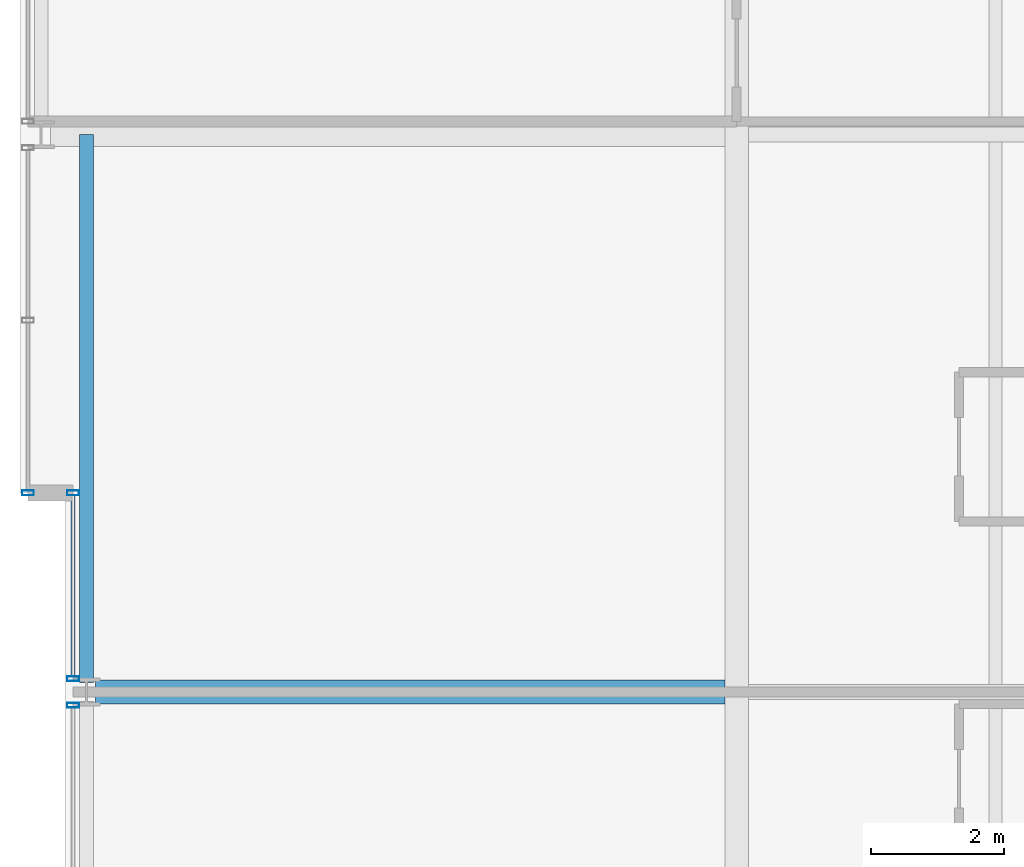
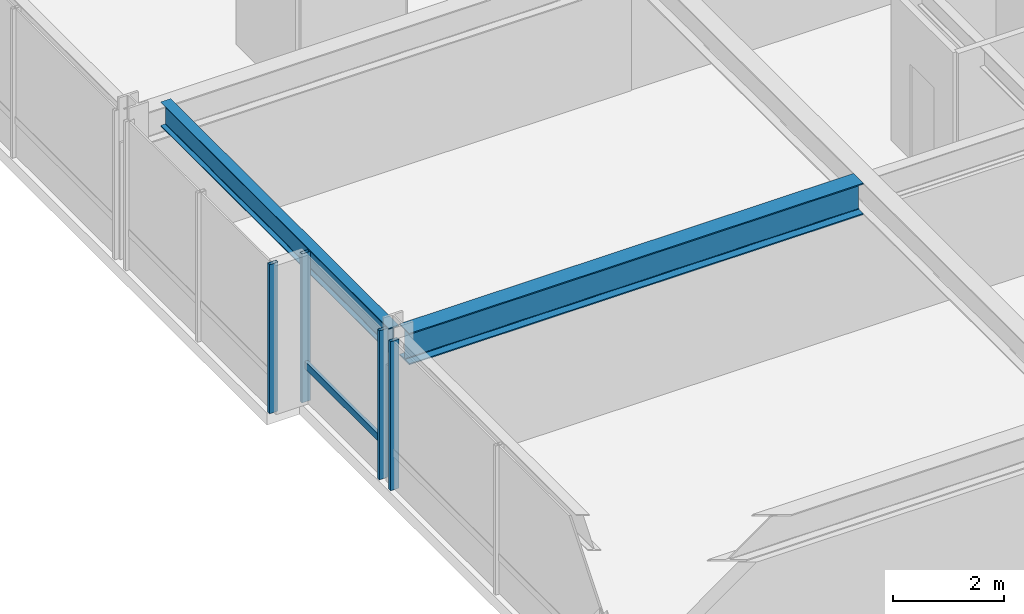
# One storey, part 9 of 33: 5 members, 2 beams, 3 elements without a shape of their own.
"""IFC4 building model written with IfcOpenShell, lengths in metres."""

from ifc_helpers import new_model, si_unit, direction, frame, origin, origin_2d, place, context, subcontext, project, spatial, hollow_rectangle, i_section, extrude, material, layer, layer_set, material_profile, profile_set, type_object, element, aggregate, save


model = new_model("IFC4")

# Units and contexts
model_context = context("Model", 3, precision=1e-05, world=origin(), true_north=direction((0.0, 1.0)))
body_context = subcontext(model_context, "Body", "Model", "MODEL_VIEW")
ifc_project = project(units=[si_unit("LENGTHUNIT", "METRE"), si_unit("AREAUNIT", "SQUARE_METRE"), si_unit("VOLUMEUNIT", "CUBIC_METRE"), si_unit("PLANEANGLEUNIT", "RADIAN"), si_unit("MASSUNIT", "GRAM", prefix="KILO")], contexts=[model_context])

# Site, building, storey
site_placement = place(None, origin())
site = spatial("IfcSite", under=ifc_project, at=site_placement, CompositionType="ELEMENT")
building_placement = place(site_placement, origin())
building = spatial("IfcBuilding", under=site, at=building_placement, Name="Drelvath Grand Hotel", CompositionType="ELEMENT")
storey_placement = place(building_placement, frame((0.0, 0.0, 171.699951171875)))
storey = spatial("IfcBuildingStorey", under=building, at=storey_placement, Name="L44", CompositionType="ELEMENT", Elevation=171.699951171875)

# Curtain wall, member
ifc_material_1 = material(Name="Brushed Pale-Silver Anodised Aluminium Frame", Category="aluminium")
ifc_layer = layer(ifc_material_1, 0.199951171875)
ifc_layer_set = layer_set([ifc_layer], Name="Brushed Pale-Silver Anodised Aluminium Frame")
curtain_wall_type = type_object("IfcCurtainWallType", Name="Stick Curtain Wall CW-04 Brushed Silver Upper-Mid", PredefinedType="NOTDEFINED", material=ifc_layer_set)
curtain_wall_1_placement = place(storey_placement, origin())
curtain_wall_1 = element("IfcCurtainWall", 1, at=curtain_wall_1_placement, inside=storey, type_object=curtain_wall_type, Name="L44 CW-04 Curtain Wall CW04-L44-WM2", PredefinedType="NOTDEFINED")
ifc_material_profile_1 = material_profile(ifc_material_1, hollow_rectangle(XDim=0.06494140625, YDim=0.159912109375, WallThickness=0.00390625, at=origin_2d()), Name="HSS160X65X4")
ifc_profile_set_1 = profile_set([ifc_material_profile_1], Name="Brushed Pale-Silver Anodised Aluminium Frame")
member_type_1 = type_object("IfcMemberType", Name="Curtain Wall Horizontal Transom CW-04 HSS160X65X4", PredefinedType="USERDEFINED", material=ifc_profile_set_1)
member_1_placement = place(storey_placement, frame((-26.199951171875, 27.239990234375, 0.822509765625), z_axis=(0.0, 1.0, 0.0), x_axis=(-1.0, 0.0, 0.0)))
member_1 = element("IfcMember", 2, at=member_1_placement, type_object=member_type_1, Name="CW04-L44-WM2 Sill Transom", ObjectType="TRANSOM", PredefinedType="USERDEFINED", context=body_context, shape_type="SweptSolid", body=[
    extrude(hollow_rectangle(XDim=0.06494140625, YDim=0.159912109375, WallThickness=0.00390625, at=origin_2d()), origin(), (0.0, 0.0, 1.0), 2.719970703125),
])

curtain_wall_2_placement = place(storey_placement, origin())
curtain_wall_2 = element("IfcCurtainWall", 3, at=curtain_wall_2_placement, inside=storey, type_object=curtain_wall_type, Name="L44 CW-04 Curtain Wall CW04-L44-WM1", PredefinedType="NOTDEFINED")
ifc_material_profile_2 = material_profile(ifc_material_1, hollow_rectangle(XDim=0.074951171875, YDim=0.179931640625, WallThickness=0.0048828125, at=origin_2d()), Name="HSS180X75X5")
ifc_profile_set_2 = profile_set([ifc_material_profile_2], Name="Brushed Pale-Silver Anodised Aluminium Frame")
member_type_2 = type_object("IfcMemberType", Name="Curtain Wall Vertical Mullion CW-04 HSS180X75X5", PredefinedType="MULLION", material=ifc_profile_set_2)
member_2_placement = place(storey_placement, frame((-26.199951171875, 26.7998046875, 0.0), z_axis=(0.0, 0.0, 1.0), x_axis=(0.0, 1.0, 0.0)))
member_2 = element("IfcMember", 4, at=member_2_placement, type_object=member_type_2, Name="CW04-L44-WM1 Mullion 3", PredefinedType="MULLION", context=body_context, shape_type="SweptSolid", body=[
    extrude(hollow_rectangle(XDim=0.074951171875, YDim=0.179931640625, WallThickness=0.0048828125, at=origin_2d()), origin(), (0.0, 0.0, 1.0), 3.2900390625),
])
aggregate(curtain_wall_2, [member_2])

# Member
member_3_placement = place(storey_placement, frame((-26.199951171875, 27.2001953125, 0.0), z_axis=(0.0, 0.0, 1.0), x_axis=(0.0, 1.0, 0.0)))
member_3 = element("IfcMember", 5, at=member_3_placement, type_object=member_type_2, Name="CW04-L44-WM2 Mullion 1", PredefinedType="MULLION", context=body_context, shape_type="SweptSolid", body=[
    extrude(hollow_rectangle(XDim=0.074951171875, YDim=0.179931640625, WallThickness=0.0048828125, at=origin_2d()), origin(), (0.0, 0.0, 1.0), 3.2900390625),
])

member_4_placement = place(storey_placement, frame((-26.199951171875, 30.0, 0.0), z_axis=(0.0, 0.0, 1.0), x_axis=(0.0, 1.0, 0.0)))
member_4 = element("IfcMember", 6, at=member_4_placement, type_object=member_type_2, Name="CW04-L44-WM2 Mullion 2", PredefinedType="MULLION", context=body_context, shape_type="SweptSolid", body=[
    extrude(hollow_rectangle(XDim=0.074951171875, YDim=0.179931640625, WallThickness=0.0048828125, at=origin_2d()), origin(), (0.0, 0.0, 1.0), 3.2900390625),
])

aggregate(curtain_wall_1, [member_3, member_4, member_1])

# Curtain wall, member
curtain_wall_3_placement = place(storey_placement, origin())
curtain_wall_3 = element("IfcCurtainWall", 7, at=curtain_wall_3_placement, inside=storey, type_object=curtain_wall_type, Name="L44 CW-04 Curtain Wall CW04-L44-WN1", PredefinedType="NOTDEFINED")
member_5_placement = place(storey_placement, frame((-26.8798828125, 30.0, 0.0), z_axis=(0.0, 0.0, 1.0), x_axis=(0.0, 1.0, 0.0)))
member_5 = element("IfcMember", 8, at=member_5_placement, type_object=member_type_2, Name="CW04-L44-WN1 Mullion 1", PredefinedType="MULLION", context=body_context, shape_type="SweptSolid", body=[
    extrude(hollow_rectangle(XDim=0.074951171875, YDim=0.179931640625, WallThickness=0.0048828125, at=origin_2d()), origin(), (0.0, 0.0, 1.0), 3.2900390625),
])
aggregate(curtain_wall_3, [member_5])

# Beams
ifc_material_2 = material(Name="Steel ASTM A992 Gr 50", Category="steel")
ifc_material_profile_3 = material_profile(ifc_material_2, i_section(OverallWidth=0.210205078125, OverallDepth=0.53662109375, WebThickness=0.010986328125, FlangeThickness=0.017333984375, FilletRadius=0.01806640625, at=origin_2d()), Name="W21X68")
ifc_profile_set_3 = profile_set([ifc_material_profile_3], Name="Steel ASTM A992 Gr 50")
beam_type_1 = type_object("IfcBeamType", Name="Perimeter Spandrel Beam W21X68", PredefinedType="SPANDREL", material=ifc_profile_set_3)
beam_1_placement = place(storey_placement, frame((-26.0, 27.139892578125, 3.021728515625), z_axis=(0.0, 1.0, 0.0), x_axis=(-1.0, 0.0, 0.0)))
element("IfcBeam", 9, at=beam_1_placement, inside=storey, type_object=beam_type_1, Name="L44 Spandrel West Mid N", PredefinedType="SPANDREL", context=body_context, shape_type="SweptSolid", body=[
    extrude(i_section(OverallWidth=0.210205078125, OverallDepth=0.53662109375, WebThickness=0.010986328125, FlangeThickness=0.017333984375, FilletRadius=0.01806640625, at=origin_2d()), origin(), (0.0, 0.0, 1.0), 8.260009765625),
])
ifc_material_profile_4 = material_profile(ifc_material_2, i_section(OverallWidth=0.354736328125, OverallDepth=0.695556640625, WebThickness=0.015380859375, FlangeThickness=0.025146484375, FilletRadius=0.02392578125, at=origin_2d()), Name="W27X146")
ifc_profile_set_4 = profile_set([ifc_material_profile_4], Name="Steel ASTM A992 Gr 50")
beam_type_2 = type_object("IfcBeamType", Name="Primary Floor Girder W27X146", PredefinedType="BEAM", material=ifc_profile_set_4)
beam_2_placement = place(storey_placement, frame((-25.860107421875, 27.0, 2.9423828125), z_axis=(1.0, 0.0, 0.0), x_axis=(0.0, 1.0, 0.0)))
element("IfcBeam", 10, at=beam_2_placement, inside=storey, type_object=beam_type_2, Name="L44 West Wing Girder E", PredefinedType="BEAM", context=body_context, shape_type="SweptSolid", body=[
    extrude(i_section(OverallWidth=0.354736328125, OverallDepth=0.695556640625, WebThickness=0.015380859375, FlangeThickness=0.025146484375, FilletRadius=0.02392578125, at=origin_2d()), origin(), (0.0, 0.0, 1.0), 9.482666015625),
])

save(model, "model.ifc")
